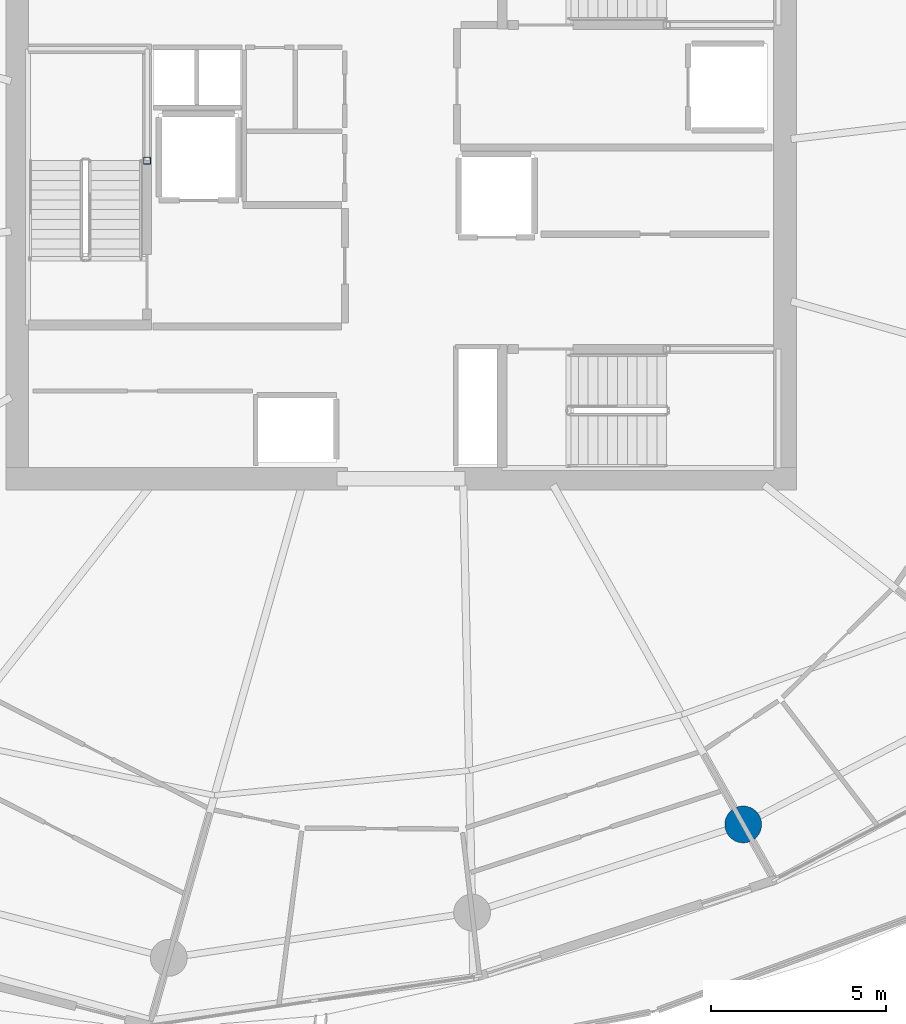
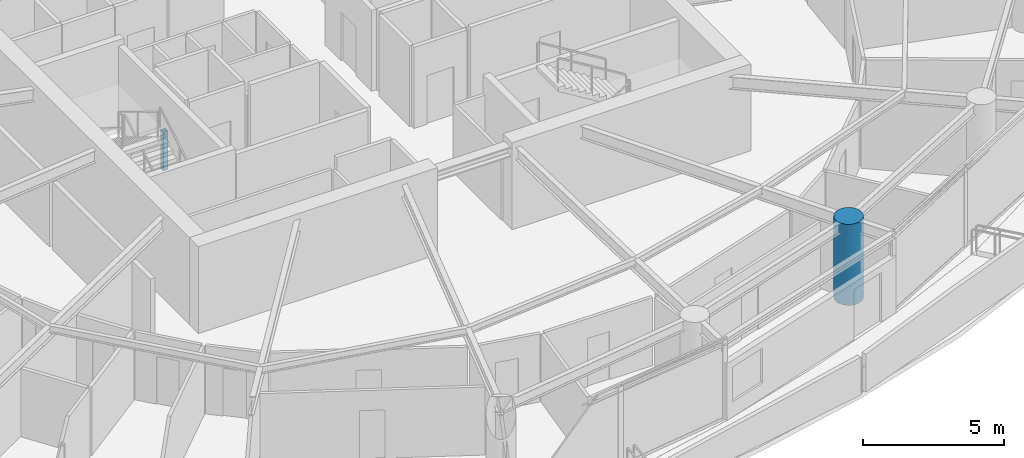
# One storey, part 2 of 21: 2 columns.
"""IFC4 building model written with IfcOpenShell, lengths in metres."""

from ifc_helpers import new_model, si_unit, direction, frame, origin, origin_2d, place, context, subcontext, project, spatial, hollow_rectangle, circle, extrude, material, material_profile, profile_set, type_object, element, save


model = new_model("IFC4")

# Units and contexts
model_context = context("Model", 3, precision=1e-05, world=origin(), true_north=direction((0.0, 1.0)))
body_context = subcontext(model_context, "Body", "Model", "MODEL_VIEW")
ifc_project = project(units=[si_unit("LENGTHUNIT", "METRE"), si_unit("AREAUNIT", "SQUARE_METRE"), si_unit("VOLUMEUNIT", "CUBIC_METRE"), si_unit("PLANEANGLEUNIT", "RADIAN"), si_unit("MASSUNIT", "GRAM", prefix="KILO")], contexts=[model_context])

# Site, building, storey
site_placement = place(None, origin())
site = spatial("IfcSite", under=ifc_project, at=site_placement, CompositionType="ELEMENT")
building_placement = place(site_placement, origin())
building = spatial("IfcBuilding", under=site, at=building_placement, Name="Kazma Halo Residences", CompositionType="ELEMENT")
storey_placement = place(building_placement, frame((0.0, 0.0, 191.550048828125)))
storey = spatial("IfcBuildingStorey", under=building, at=storey_placement, Name="L48", CompositionType="ELEMENT", Elevation=191.550048828125)

# Columns
ifc_material_1 = material(Name="Steel S355", Category="steel")
ifc_material_profile_1 = material_profile(ifc_material_1, hollow_rectangle(XDim=0.199951171875, YDim=0.199951171875, WallThickness=0.010009765625, InnerFilletRadius=0.010009765625, OuterFilletRadius=0.02001953125, at=origin_2d()), Name="SHS200x200x10")
ifc_profile_set_1 = profile_set([ifc_material_profile_1], Name="Steel S355")
column_type_1 = type_object("IfcColumnType", Name="COL-LP-SHS200", PredefinedType="COLUMN", material=ifc_profile_set_1)
column_1_placement = place(storey_placement, frame((41.179931640625, 42.75, 0.0), z_axis=(0.0, 0.0, 1.0), x_axis=(1.0, 0.0, 0.0)))
element("IfcColumn", 1, at=column_1_placement, inside=storey, type_object=column_type_1, Name="L48 ST-01 landing pilaster 1", PredefinedType="COLUMN", context=body_context, shape_type="SweptSolid", body=[
    extrude(hollow_rectangle(XDim=0.199951171875, YDim=0.199951171875, WallThickness=0.010009765625, InnerFilletRadius=0.010009765625, OuterFilletRadius=0.02001953125, at=origin_2d()), origin(), (0.0, 0.0, 1.0), 1.669921875),
])
ifc_material_2 = material(Name="Concrete C80/95", Category="concrete")
ifc_material_profile_2 = material_profile(ifc_material_2, circle(Radius=0.52490234375, at=origin_2d()), Name="CIRC1050")
ifc_profile_set_2 = profile_set([ifc_material_profile_2], Name="Concrete C80/95")
column_type_2 = type_object("IfcColumnType", Name="COL-PERIM-1050", PredefinedType="COLUMN", material=ifc_profile_set_2)
column_2_placement = place(storey_placement, frame((58.184814453125, 23.813720703125, 0.0), z_axis=(0.0, 0.0, 1.0), x_axis=(1.0, 0.0, 0.0)))
element("IfcColumn", 2, at=column_2_placement, inside=storey, type_object=column_type_2, Name="L48 perimeter ring column P13", PredefinedType="COLUMN", context=body_context, shape_type="SweptSolid", body=[
    extrude(circle(Radius=0.52490234375, at=origin_2d()), origin(), (0.0, 0.0, 1.0), 3.5),
])

save(model, "model.ifc")
